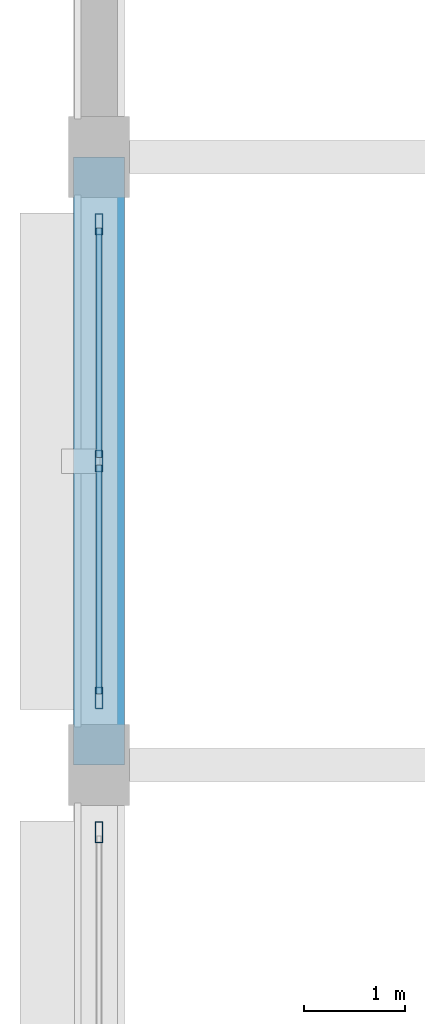
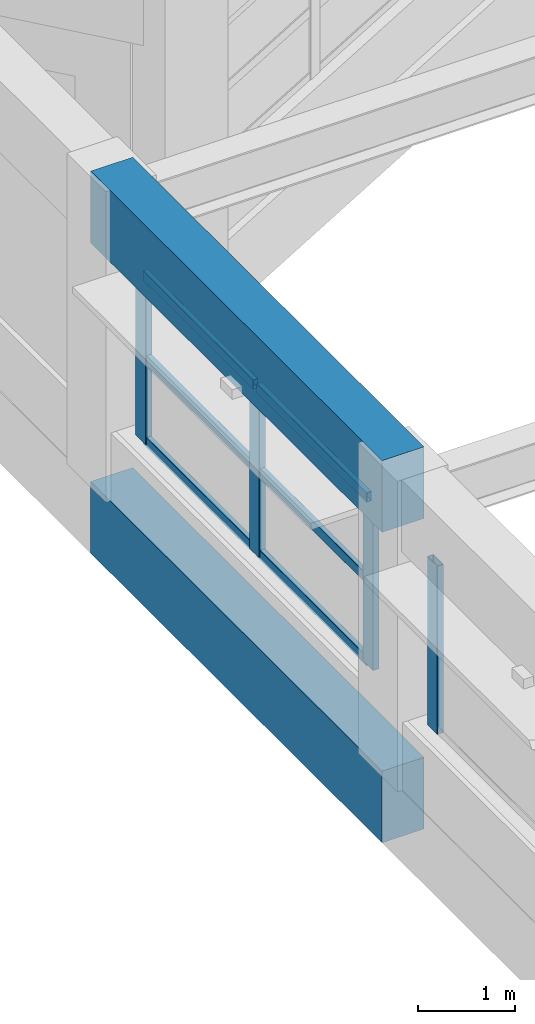
# One storey, part 20 of 108: 10 members, 2 beams, 2 elements without a shape of their own.
"""IFC4 building model written with IfcOpenShell, lengths in metres."""

import ifcopenshell
import ifcopenshell.guid

model = None  # the IFC model being written
_history = None  # IfcOwnerHistory: only IFC2X3 demands one
_inside = {}  # id of a spatial element -> (the spatial element, [elements in it])
_under = {}  # id of a project, library or spatial element -> (it, [spatial elements below it])
_declared = {}  # id of a project -> (the project, [libraries it declares])
_typed = {}  # id of a type object -> (the type object, [elements of that type])
_made_of = {}  # id of a material, layer set ... -> (it, [elements and type objects made of it])


def new_model(schema):
    """Start an empty IFC model of exactly this schema.

    Asked for "IFC4X3", IfcOpenShell would pick the latest addendum, in which some entities
    have other attributes; the version numbers below select the first issue.
    IFC2X3 requires an IfcOwnerHistory on every rooted entity: one is made here for all.
    """
    global model, _history
    if schema == "IFC4X3":
        model = ifcopenshell.file(schema_version=(4, 3, 0, 0))
    else:
        model = ifcopenshell.file(schema=schema)
    _inside.clear()
    _under.clear()
    _declared.clear()
    _typed.clear()
    _made_of.clear()
    _history = None
    if model.schema == "IFC2X3":
        org = make("IfcOrganization", Name="unknown")
        user = make(
            "IfcPersonAndOrganization",
            ThePerson=make("IfcPerson", FamilyName="unknown"),
            TheOrganization=org,
        )
        app = make(
            "IfcApplication",
            ApplicationDeveloper=org,
            Version="unknown",
            ApplicationFullName="unknown",
            ApplicationIdentifier="unknown",
        )
        _history = make(
            "IfcOwnerHistory",
            OwningUser=user,
            OwningApplication=app,
            ChangeAction="ADDED",
            CreationDate=0,
        )
    return model


def make(cls, **values):
    """One entity of the class cls with the attributes given. An attribute that is None is left unset."""
    return model.create_entity(
        cls, **{name: value for name, value in values.items() if value is not None}
    )


def rooted(cls, **values):
    """An entity with a GlobalId (a new one), such as an element, a storey or a relation."""
    return make(cls, GlobalId=ifcopenshell.guid.new(), OwnerHistory=_history, **values)


def si_unit(unit_type, name, prefix=None):
    """IfcSIUnit, for example si_unit("LENGTHUNIT", "METRE", prefix="MILLI")."""
    return make("IfcSIUnit", UnitType=unit_type, Prefix=prefix, Name=name)


def assignment(units):
    """IfcUnitAssignment: the units of a project."""
    return None if units is None else make("IfcUnitAssignment", Units=units)


def point(xyz):
    """IfcCartesianPoint."""
    return None if xyz is None else make("IfcCartesianPoint", Coordinates=xyz)


def direction(xyz):
    """IfcDirection."""
    return None if xyz is None else make("IfcDirection", DirectionRatios=xyz)


def frame(location, z_axis=None, x_axis=None):
    """IfcAxis2Placement3D, a coordinate frame: its origin and axes. An axis left out is left unset."""
    return make(
        "IfcAxis2Placement3D",
        Location=point(location),
        Axis=direction(z_axis),
        RefDirection=direction(x_axis),
    )


def frame_2d(location, x_axis=None):
    """IfcAxis2Placement2D, a coordinate frame in the plane: its origin and x axis."""
    return make(
        "IfcAxis2Placement2D", Location=point(location), RefDirection=direction(x_axis)
    )


def origin():
    """The frame at (0, 0, 0) with its axes left unset."""
    return frame((0.0, 0.0, 0.0))


def origin_2d():
    """The frame at (0, 0) in the plane with its x axis left unset."""
    return frame_2d((0.0, 0.0))


def place(relative_to, where):
    """IfcLocalPlacement: puts the frame where relative to a parent placement (None: the world)."""
    return make(
        "IfcLocalPlacement", PlacementRelTo=relative_to, RelativePlacement=where
    )


def context(
    kind, dimensions, precision=None, world=None, true_north=None, identifier=None
):
    """IfcGeometricRepresentationContext, for example the 3D "Model" context."""
    return make(
        "IfcGeometricRepresentationContext",
        ContextIdentifier=identifier,
        ContextType=kind,
        CoordinateSpaceDimension=dimensions,
        Precision=precision,
        WorldCoordinateSystem=world,
        TrueNorth=true_north,
    )


def subcontext(parent, identifier, kind, view, scale=None):
    """IfcGeometricRepresentationSubContext, for example "Body" below "Model"."""
    return make(
        "IfcGeometricRepresentationSubContext",
        ContextIdentifier=identifier,
        ContextType=kind,
        ParentContext=parent,
        TargetScale=scale,
        TargetView=view,
    )


def project(units=None, contexts=None):
    """IfcProject with its units and contexts."""
    return rooted(
        "IfcProject",
        Name="project",
        RepresentationContexts=contexts,
        UnitsInContext=assignment(units),
    )


def spatial(cls, under=None, at=None, **own):
    """A site, building, storey or space (cls), placed at a placement, below another one or the project."""
    s = rooted(cls, ObjectPlacement=at, **own)
    if under is not None:
        _under.setdefault(under.id(), (under, []))[1].append(s)
    return s


def profile(cls, at=None, kind="AREA", **sizes):
    """A parametric profile (cls). Its sizes go by their IFC names, for example OverallWidth=200.0."""
    return make(cls, ProfileType=kind, Position=at, **sizes)


def rectangle(**sizes):
    """IfcRectangleProfileDef."""
    return profile("IfcRectangleProfileDef", **sizes)


def hollow_rectangle(**sizes):
    """IfcRectangleHollowProfileDef."""
    return profile("IfcRectangleHollowProfileDef", **sizes)


def extrude(swept, where, along, depth):
    """IfcExtrudedAreaSolid: the profile swept, set in the frame where, extruded along a direction by depth."""
    return make(
        "IfcExtrudedAreaSolid",
        SweptArea=swept,
        Position=where,
        ExtrudedDirection=direction(along),
        Depth=depth,
    )


def shape(context_of_items, identifier, shape_type, items):
    """IfcShapeRepresentation: the items that make up one representation, for example the "Body"."""
    return make(
        "IfcShapeRepresentation",
        ContextOfItems=context_of_items,
        RepresentationIdentifier=identifier,
        RepresentationType=shape_type,
        Items=items,
    )


def material(Name=None, Category=None):
    """IfcMaterial."""
    return make("IfcMaterial", Name=Name, Category=Category)


def layer(
    of_material, thickness, ventilated=None, Name=None, Category=None, Priority=None
):
    """IfcMaterialLayer: one layer of a wall or slab, of a material (None: an air gap)."""
    return make(
        "IfcMaterialLayer",
        Material=of_material,
        LayerThickness=thickness,
        IsVentilated=ventilated,
        Name=Name,
        Category=Category,
        Priority=Priority,
    )


def layer_set(layers, Name=None):
    """IfcMaterialLayerSet."""
    return make("IfcMaterialLayerSet", MaterialLayers=layers, LayerSetName=Name)


def material_profile(
    of_material, cross_section, Name=None, Category=None, Priority=None
):
    """IfcMaterialProfile: a cross section and its material."""
    return make(
        "IfcMaterialProfile",
        Name=Name,
        Material=of_material,
        Profile=cross_section,
        Priority=Priority,
        Category=Category,
    )


def profile_set(profiles, Name=None, composite=None):
    """IfcMaterialProfileSet."""
    return make(
        "IfcMaterialProfileSet",
        Name=Name,
        MaterialProfiles=profiles,
        CompositeProfile=composite,
    )


def made_of(thing, what):
    """Note that an element or type object is made of a material, layer set ...; save() writes the relation."""
    if what is not None:
        _made_of.setdefault(what.id(), (what, []))[1].append(thing)
    return thing


def type_object(cls, material=None, **own):
    """A type object (cls), such as IfcWallType, which elements share."""
    return made_of(rooted(cls, **own), material)


def element(
    cls,
    number,
    at=None,
    inside=None,
    cuts=None,
    type_object=None,
    material=None,
    context=None,
    identifier="Body",
    shape_type=None,
    held_by="IfcProductDefinitionShape",
    body=None,
    shapes=None,
    **own,
):
    """One element of the class cls, such as IfcWall. Its Tag is "e" and its number.

    at: its placement. inside: the storey or other place that contains it. cuts: it is an
    opening in that element (IfcRelVoidsElement). A single representation is given by context,
    identifier, shape_type and body (its items); several are given by shapes. held_by: the class
    of the entity that holds the representations. save() writes the other relations.
    """
    e = rooted(cls, Tag="e%d" % number, ObjectPlacement=at, **own)
    if body is not None:
        shapes = [shape(context, identifier, shape_type, body)]
    if shapes is not None:
        e.Representation = make(held_by, Representations=shapes)
    if inside is not None:
        _inside.setdefault(inside.id(), (inside, []))[1].append(e)
    if cuts is not None:
        rooted(
            "IfcRelVoidsElement", RelatingBuildingElement=cuts, RelatedOpeningElement=e
        )
    if type_object is not None:
        _typed.setdefault(type_object.id(), (type_object, []))[1].append(e)
    return made_of(e, material)


def aggregate(whole, parts):
    """IfcRelAggregates: a whole, such as a stair, and the parts it consists of."""
    return rooted("IfcRelAggregates", RelatingObject=whole, RelatedObjects=parts)


def save(model, path):
    """Write the relations noted so far, then the file.

    IfcRelAggregates (storeys below a building ...), IfcRelContainedInSpatialStructure (elements
    in a storey), IfcRelDefinesByType, IfcRelAssociatesMaterial and IfcRelDeclares: one each for
    every whole, place, type object, material and project.
    """
    for whole, parts in _under.values():
        aggregate(whole, parts)
    for where, things in _inside.values():
        rooted(
            "IfcRelContainedInSpatialStructure",
            RelatedElements=things,
            RelatingStructure=where,
        )
    for kind, things in _typed.values():
        rooted("IfcRelDefinesByType", RelatedObjects=things, RelatingType=kind)
    for what, things in _made_of.values():
        rooted("IfcRelAssociatesMaterial", RelatedObjects=things, RelatingMaterial=what)
    for by, libraries in _declared.values():
        rooted("IfcRelDeclares", RelatingContext=by, RelatedDefinitions=libraries)
    model.write(path)


model = new_model("IFC4")

# Units and contexts
model_context = context("Model", 3, precision=1e-05, world=origin(), true_north=direction((0.0, 1.0)))
body_context = subcontext(model_context, "Body", "Model", "MODEL_VIEW")
ifc_project = project(units=[si_unit("LENGTHUNIT", "METRE"), si_unit("AREAUNIT", "SQUARE_METRE"), si_unit("VOLUMEUNIT", "CUBIC_METRE"), si_unit("PLANEANGLEUNIT", "RADIAN"), si_unit("MASSUNIT", "GRAM", prefix="KILO")], contexts=[model_context])

# Site, building, storey
site_placement = place(None, origin())
site = spatial("IfcSite", under=ifc_project, at=site_placement, CompositionType="ELEMENT")
building_placement = place(site_placement, origin())
building = spatial("IfcBuilding", under=site, at=building_placement, Name="Vespera Passage Community Centre", CompositionType="ELEMENT")
storey_placement = place(building_placement, frame((0.0, 0.0, 12.60009765625)))
storey = spatial("IfcBuildingStorey", under=building, at=storey_placement, Name="L03", CompositionType="ELEMENT", Elevation=12.60009765625)

# Beams
ifc_material_1 = material(Name="Concrete f'c 45 MPa", Category="concrete")
ifc_material_profile_1 = material_profile(ifc_material_1, rectangle(XDim=0.5, YDim=0.89990234375, at=origin_2d()), Name="RC500X900")
ifc_profile_set_1 = profile_set([ifc_material_profile_1], Name="Concrete f'c 45 MPa")
beam_type = type_object("IfcBeamType", Name="BM-SP-500X900E", PredefinedType="SPANDREL", material=ifc_profile_set_1)
for number, where, z_axis, x_axis, name in (
    (1, (4.050048828125, 37.0, 3.449951171875), (0.0, 1.0, 0.0), (-1.0, 0.0, 0.0), "Main Hall Eave Ring Girder W6"),
    (2, (4.050048828125, 37.0, -0.4501953125), (0.0, 1.0, 0.0), (-1.0, 0.0, 0.0), "V1 L03 Spandrel W6"),
):
    element("IfcBeam", number, at=place(storey_placement, frame(where, z_axis=z_axis, x_axis=x_axis)), inside=storey, type_object=beam_type, Name=name, PredefinedType="SPANDREL", context=body_context, shape_type="SweptSolid", body=[
        extrude(rectangle(XDim=0.5, YDim=0.89990234375, at=origin_2d()), origin(), (0.0, 0.0, 1.0), 6.0),
    ])

# Curtain wall, member
ifc_material_2 = material(Name="Anodized aluminium 6063-T6", Category="aluminium")
ifc_layer = layer(ifc_material_2, 0.159912109375)
ifc_layer_set = layer_set([ifc_layer], Name="Anodized aluminium 6063-T6")
curtain_wall_type = type_object("IfcCurtainWallType", Name="CW-86E", PredefinedType="NOTDEFINED", material=ifc_layer_set)
curtain_wall_1_placement = place(storey_placement, origin())
curtain_wall_1 = element("IfcCurtainWall", 3, at=curtain_wall_1_placement, inside=storey, type_object=curtain_wall_type, Name="Main Hall Acoustic Curtain Wall L03 W5", PredefinedType="NOTDEFINED")
ifc_material_3 = material(Name="Anodized aluminium 6063-T6", Category="aluminium")
ifc_material_profile_2 = material_profile(ifc_material_3, hollow_rectangle(XDim=0.074951171875, YDim=0.2099609375, WallThickness=0.0048828125, InnerFilletRadius=0.00244140625, OuterFilletRadius=0.0048828125, at=origin_2d()), Name="ALU210X75X5")
ifc_profile_set_2 = profile_set([ifc_material_profile_2], Name="Anodized aluminium 6063-T6")
member_type_1 = type_object("IfcMemberType", Name="MB-CWM-210E", PredefinedType="MULLION", material=ifc_profile_set_2)
member_1_placement = place(storey_placement, frame((4.050048828125, 36.33740234375, 0.849853515625), z_axis=(0.0, 0.0, 1.0), x_axis=(-1.0, 0.0, 0.0)))
member_1 = element("IfcMember", 4, at=member_1_placement, type_object=member_type_1, Name="CW-86E mullion 3", PredefinedType="MULLION", context=body_context, shape_type="SweptSolid", body=[
    extrude(hollow_rectangle(XDim=0.074951171875, YDim=0.2099609375, WallThickness=0.0048828125, InnerFilletRadius=0.00244140625, OuterFilletRadius=0.0048828125, at=origin_2d()), origin(), (0.0, 0.0, 1.0), 2.114990234375),
])
aggregate(curtain_wall_1, [member_1])

# Curtain wall, members
curtain_wall_2_placement = place(storey_placement, origin())
curtain_wall_2 = element("IfcCurtainWall", 5, at=curtain_wall_2_placement, inside=storey, type_object=curtain_wall_type, Name="Main Hall Acoustic Curtain Wall L03 W6", PredefinedType="NOTDEFINED")
member_2_placement = place(storey_placement, frame((4.050048828125, 37.66259765625, 0.849853515625), z_axis=(0.0, 0.0, 1.0), x_axis=(-1.0, 0.0, 0.0)))
member_2 = element("IfcMember", 6, at=member_2_placement, type_object=member_type_1, Name="CW-86E mullion 1", PredefinedType="MULLION", context=body_context, shape_type="SweptSolid", body=[
    extrude(hollow_rectangle(XDim=0.074951171875, YDim=0.2099609375, WallThickness=0.0048828125, InnerFilletRadius=0.00244140625, OuterFilletRadius=0.0048828125, at=origin_2d()), origin(), (0.0, 0.0, 1.0), 2.114990234375),
])
member_3_placement = place(storey_placement, frame((4.050048828125, 40.0, 0.849853515625), z_axis=(0.0, 0.0, 1.0), x_axis=(-1.0, 0.0, 0.0)))
member_3 = element("IfcMember", 7, at=member_3_placement, type_object=member_type_1, Name="CW-86E mullion 2", PredefinedType="MULLION", context=body_context, shape_type="SweptSolid", body=[
    extrude(hollow_rectangle(XDim=0.074951171875, YDim=0.2099609375, WallThickness=0.0048828125, InnerFilletRadius=0.00244140625, OuterFilletRadius=0.0048828125, at=origin_2d()), origin(), (0.0, 0.0, 1.0), 2.114990234375),
])
member_4_placement = place(storey_placement, frame((4.050048828125, 42.33740234375, 0.849853515625), z_axis=(0.0, 0.0, 1.0), x_axis=(-1.0, 0.0, 0.0)))
member_4 = element("IfcMember", 8, at=member_4_placement, type_object=member_type_1, Name="CW-86E mullion 3", PredefinedType="MULLION", context=body_context, shape_type="SweptSolid", body=[
    extrude(hollow_rectangle(XDim=0.074951171875, YDim=0.2099609375, WallThickness=0.0048828125, InnerFilletRadius=0.00244140625, OuterFilletRadius=0.0048828125, at=origin_2d()), origin(), (0.0, 0.0, 1.0), 2.114990234375),
])
ifc_material_4 = material(Name="Anodized aluminium 6063-T6", Category="aluminium")
ifc_material_profile_3 = material_profile(ifc_material_4, hollow_rectangle(XDim=0.06005859375, YDim=0.1201171875, WallThickness=0.00390625, InnerFilletRadius=0.001953125, OuterFilletRadius=0.00390625, at=origin_2d()), Name="ALU120X60X4")
ifc_profile_set_3 = profile_set([ifc_material_profile_3], Name="Anodized aluminium 6063-T6")
member_type_2 = type_object("IfcMemberType", Name="MB-CWT-120E", PredefinedType="USERDEFINED", material=ifc_profile_set_3)
member_5_placement = place(storey_placement, frame((4.050048828125, 37.699951171875, 0.8798828125), z_axis=(0.0, 1.0, 0.0), x_axis=(-1.0, 0.0, 0.0)))
member_5 = element("IfcMember", 9, at=member_5_placement, type_object=member_type_2, Name="CW-86E transom 1.1", ObjectType="TRANSOM", PredefinedType="USERDEFINED", context=body_context, shape_type="SweptSolid", body=[
    extrude(hollow_rectangle(XDim=0.06005859375, YDim=0.1201171875, WallThickness=0.00390625, InnerFilletRadius=0.001953125, OuterFilletRadius=0.00390625, at=origin_2d()), origin(), (0.0, 0.0, 1.0), 2.262451171875),
])
member_6_placement = place(storey_placement, frame((4.050048828125, 37.699951171875, 1.907470703125), z_axis=(0.0, 1.0, 0.0), x_axis=(-1.0, 0.0, 0.0)))
member_6 = element("IfcMember", 10, at=member_6_placement, type_object=member_type_2, Name="CW-86E transom 1.2", ObjectType="TRANSOM", PredefinedType="USERDEFINED", context=body_context, shape_type="SweptSolid", body=[
    extrude(hollow_rectangle(XDim=0.06005859375, YDim=0.1201171875, WallThickness=0.00390625, InnerFilletRadius=0.001953125, OuterFilletRadius=0.00390625, at=origin_2d()), origin(), (0.0, 0.0, 1.0), 2.262451171875),
])
member_7_placement = place(storey_placement, frame((4.050048828125, 37.699951171875, 2.934814453125), z_axis=(0.0, 1.0, 0.0), x_axis=(-1.0, 0.0, 0.0)))
member_7 = element("IfcMember", 11, at=member_7_placement, type_object=member_type_2, Name="CW-86E transom 1.3", ObjectType="TRANSOM", PredefinedType="USERDEFINED", context=body_context, shape_type="SweptSolid", body=[
    extrude(hollow_rectangle(XDim=0.06005859375, YDim=0.1201171875, WallThickness=0.00390625, InnerFilletRadius=0.001953125, OuterFilletRadius=0.00390625, at=origin_2d()), origin(), (0.0, 0.0, 1.0), 2.262451171875),
])
member_8_placement = place(storey_placement, frame((4.050048828125, 40.03759765625, 0.8798828125), z_axis=(0.0, 1.0, 0.0), x_axis=(-1.0, 0.0, 0.0)))
member_8 = element("IfcMember", 12, at=member_8_placement, type_object=member_type_2, Name="CW-86E transom 2.1", ObjectType="TRANSOM", PredefinedType="USERDEFINED", context=body_context, shape_type="SweptSolid", body=[
    extrude(hollow_rectangle(XDim=0.06005859375, YDim=0.1201171875, WallThickness=0.00390625, InnerFilletRadius=0.001953125, OuterFilletRadius=0.00390625, at=origin_2d()), origin(), (0.0, 0.0, 1.0), 2.262451171875),
])
member_9_placement = place(storey_placement, frame((4.050048828125, 40.03759765625, 1.907470703125), z_axis=(0.0, 1.0, 0.0), x_axis=(-1.0, 0.0, 0.0)))
member_9 = element("IfcMember", 13, at=member_9_placement, type_object=member_type_2, Name="CW-86E transom 2.2", ObjectType="TRANSOM", PredefinedType="USERDEFINED", context=body_context, shape_type="SweptSolid", body=[
    extrude(hollow_rectangle(XDim=0.06005859375, YDim=0.1201171875, WallThickness=0.00390625, InnerFilletRadius=0.001953125, OuterFilletRadius=0.00390625, at=origin_2d()), origin(), (0.0, 0.0, 1.0), 2.262451171875),
])
member_10_placement = place(storey_placement, frame((4.050048828125, 40.03759765625, 2.934814453125), z_axis=(0.0, 1.0, 0.0), x_axis=(-1.0, 0.0, 0.0)))
member_10 = element("IfcMember", 14, at=member_10_placement, type_object=member_type_2, Name="CW-86E transom 2.3", ObjectType="TRANSOM", PredefinedType="USERDEFINED", context=body_context, shape_type="SweptSolid", body=[
    extrude(hollow_rectangle(XDim=0.06005859375, YDim=0.1201171875, WallThickness=0.00390625, InnerFilletRadius=0.001953125, OuterFilletRadius=0.00390625, at=origin_2d()), origin(), (0.0, 0.0, 1.0), 2.262451171875),
])
aggregate(curtain_wall_2, [member_2, member_3, member_4, member_5, member_6, member_7, member_8, member_9, member_10])

save(model, "model.ifc")
